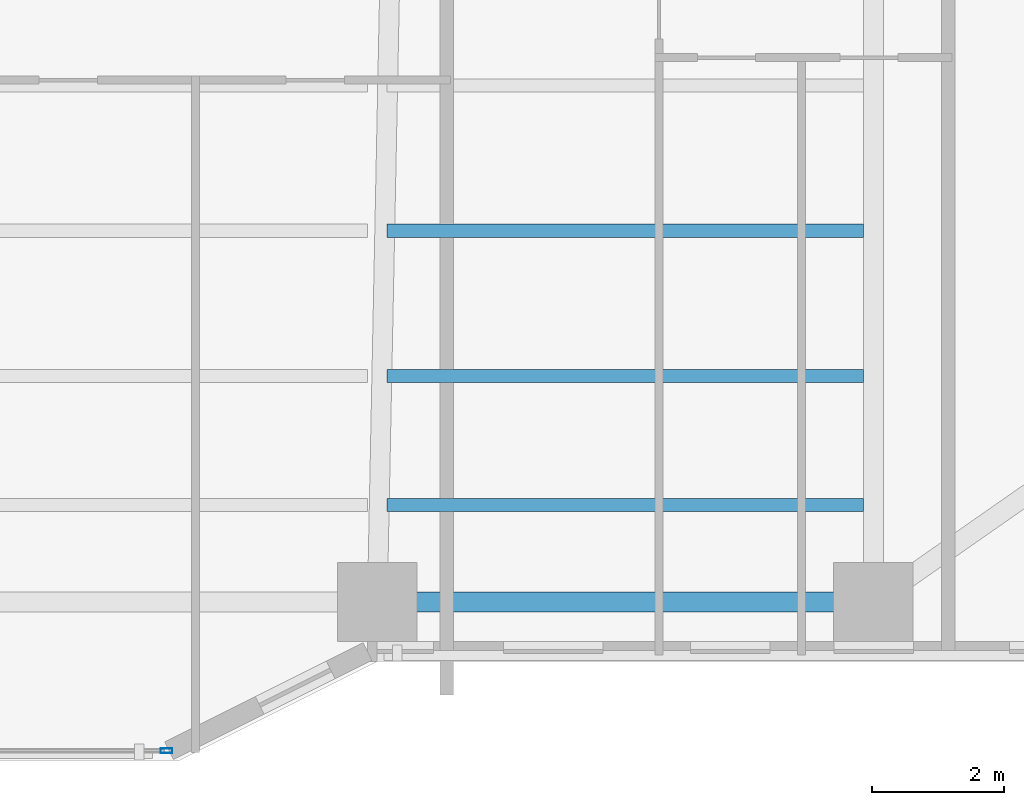
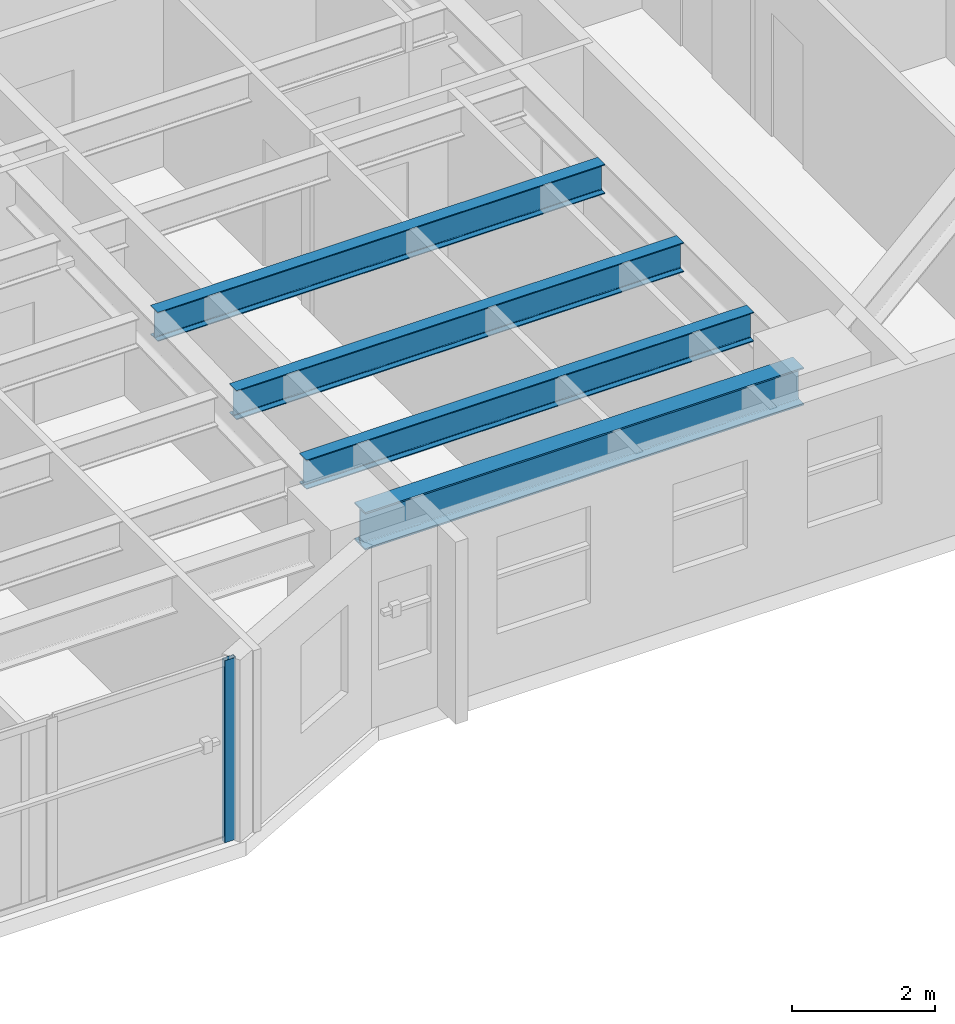
# One storey, part 4 of 21: 4 beams, 1 member, 1 element without a shape of its own.
"""IFC4 building model written with IfcOpenShell, lengths in metres."""

from ifc_helpers import new_model, si_unit, direction, frame, origin, origin_2d, place, context, subcontext, project, spatial, hollow_rectangle, i_section, extrude, material, layer, layer_set, material_profile, profile_set, type_object, element, aggregate, save


model = new_model("IFC4")

# Units and contexts
model_context = context("Model", 3, precision=1e-05, world=origin(), true_north=direction((0.0, 1.0)))
body_context = subcontext(model_context, "Body", "Model", "MODEL_VIEW")
ifc_project = project(units=[si_unit("LENGTHUNIT", "METRE"), si_unit("AREAUNIT", "SQUARE_METRE"), si_unit("VOLUMEUNIT", "CUBIC_METRE"), si_unit("PLANEANGLEUNIT", "RADIAN"), si_unit("MASSUNIT", "GRAM", prefix="KILO")], contexts=[model_context])

# Site, building, storey
site_placement = place(None, origin())
site = spatial("IfcSite", under=ifc_project, at=site_placement, CompositionType="ELEMENT")
building_placement = place(site_placement, origin())
building = spatial("IfcBuilding", under=site, at=building_placement, Name="Tarnavaz Court Tower", CompositionType="ELEMENT")
storey_placement = place(building_placement, frame((0.0, 0.0, 40.75)))
storey = spatial("IfcBuildingStorey", under=building, at=storey_placement, Name="L10", CompositionType="ELEMENT", Elevation=40.75)

# Beams
ifc_material_1 = material(Name="Steel S355", Category="steel")
ifc_material_profile_1 = material_profile(ifc_material_1, i_section(OverallWidth=0.199951171875, OverallDepth=0.5, WebThickness=0.01025390625, FlangeThickness=0.01611328125, FilletRadius=0.02099609375, at=origin_2d()), Name="IPE 500")
ifc_profile_set_1 = profile_set([ifc_material_profile_1], Name="Steel S355")
beam_type_1 = type_object("IfcBeamType", Name="BM-J-IPE500", PredefinedType="JOIST", material=ifc_profile_set_1)
for number, where, z_axis, x_axis, name in (
    (1, (7.64990234375, -17.18798828125, 2.85009765625), (1.0, 0.0, 0.0), (0.0, 1.0, 0.0), "L10 Beam JS3-3"),
    (2, (7.64990234375, -19.384033203125, 2.85009765625), (1.0, 0.0, 0.0), (0.0, 1.0, 0.0), "L10 Beam JS4-3"),
    (3, (7.64990234375, -21.3359375, 2.85009765625), (1.0, 0.0, 0.0), (0.0, 1.0, 0.0), "L10 Beam JS5-3"),
):
    element("IfcBeam", number, at=place(storey_placement, frame(where, z_axis=z_axis, x_axis=x_axis)), inside=storey, type_object=beam_type_1, Name=name, PredefinedType="JOIST", context=body_context, shape_type="SweptSolid", body=[
        extrude(i_section(OverallWidth=0.199951171875, OverallDepth=0.5, WebThickness=0.01025390625, FlangeThickness=0.01611328125, FilletRadius=0.02099609375, at=origin_2d()), origin(), (0.0, 0.0, 1.0), 7.2001953125),
    ])
ifc_material_profile_2 = material_profile(ifc_material_1, i_section(OverallWidth=0.300048828125, OverallDepth=0.639892578125, WebThickness=0.013427734375, FlangeThickness=0.02587890625, FilletRadius=0.027099609375, at=origin_2d()), Name="HEA 650")
ifc_profile_set_2 = profile_set([ifc_material_profile_2], Name="Steel S355")
beam_type_2 = type_object("IfcBeamType", Name="BM-SP-HEA650", PredefinedType="SPANDREL", material=ifc_profile_set_2)
beam_placement = place(storey_placement, frame((7.719970703125, -22.800048828125, 2.780029296875), z_axis=(1.0, 0.0, 0.0), x_axis=(0.0, 1.0, 0.0)))
element("IfcBeam", 4, at=beam_placement, inside=storey, type_object=beam_type_2, Name="L10 Beam PR-PS-3-PS-4", PredefinedType="SPANDREL", context=body_context, shape_type="SweptSolid", body=[
    extrude(i_section(OverallWidth=0.300048828125, OverallDepth=0.639892578125, WebThickness=0.013427734375, FlangeThickness=0.02587890625, FilletRadius=0.027099609375, at=origin_2d()), origin(), (0.0, 0.0, 1.0), 7.06005859375),
])

# Curtain wall, member
ifc_material_2 = material(Name="Anodised Aluminium 6063-T6 and Solar Low-E Glazing", Category="aluminium")
ifc_layer = layer(ifc_material_2, 0.179931640625)
ifc_layer_set = layer_set([ifc_layer], Name="Anodised Aluminium 6063-T6 and Solar Low-E Glazing")
curtain_wall_type = type_object("IfcCurtainWallType", Name="CW-SYS-02", PredefinedType="NOTDEFINED", material=ifc_layer_set)
curtain_wall_placement = place(storey_placement, origin())
curtain_wall = element("IfcCurtainWall", 5, at=curtain_wall_placement, inside=storey, type_object=curtain_wall_type, Name="L10 Iwan Prow Curtain Wall 17", PredefinedType="NOTDEFINED")
ifc_material_3 = material(Name="Anodised Aluminium 6063-T6", Category="aluminium")
ifc_material_profile_3 = material_profile(ifc_material_3, hollow_rectangle(XDim=0.074951171875, YDim=0.179931640625, WallThickness=0.0048828125, InnerFilletRadius=0.0048828125, OuterFilletRadius=0.010009765625, at=origin_2d()), Name="ALU RHS 180X75X5")
ifc_profile_set_3 = profile_set([ifc_material_profile_3], Name="Anodised Aluminium 6063-T6")
member_type = type_object("IfcMemberType", Name="CW-MUL-180", PredefinedType="MULLION", material=ifc_profile_set_3)
member_placement = place(storey_placement, frame((4.3125, -25.050048828125, 0.0), z_axis=(0.0, 0.0, 1.0), x_axis=(0.0, -1.0, 0.0)))
member = element("IfcMember", 6, at=member_placement, type_object=member_type, Name="CW mullion 1", PredefinedType="MULLION", context=body_context, shape_type="SweptSolid", body=[
    extrude(hollow_rectangle(XDim=0.074951171875, YDim=0.179931640625, WallThickness=0.0048828125, InnerFilletRadius=0.0048828125, OuterFilletRadius=0.010009765625, at=origin_2d()), origin(), (0.0, 0.0, 1.0), 3.10009765625),
])
aggregate(curtain_wall, [member])

save(model, "model.ifc")
